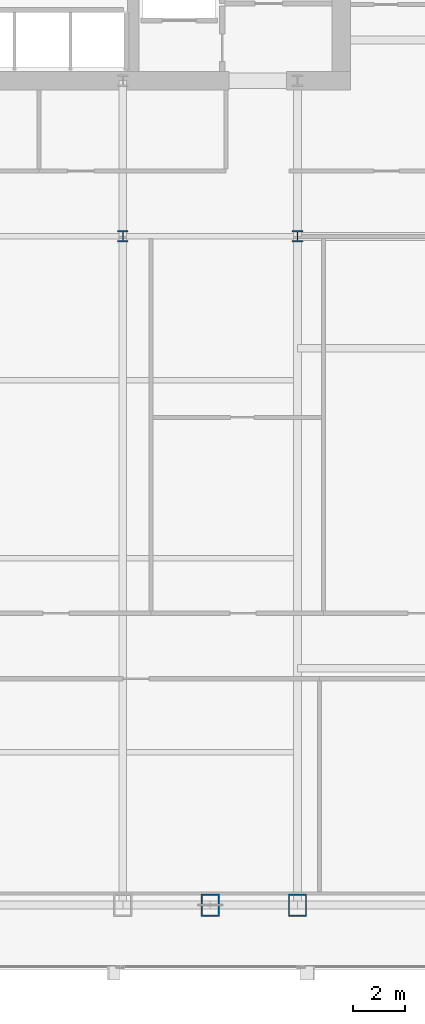
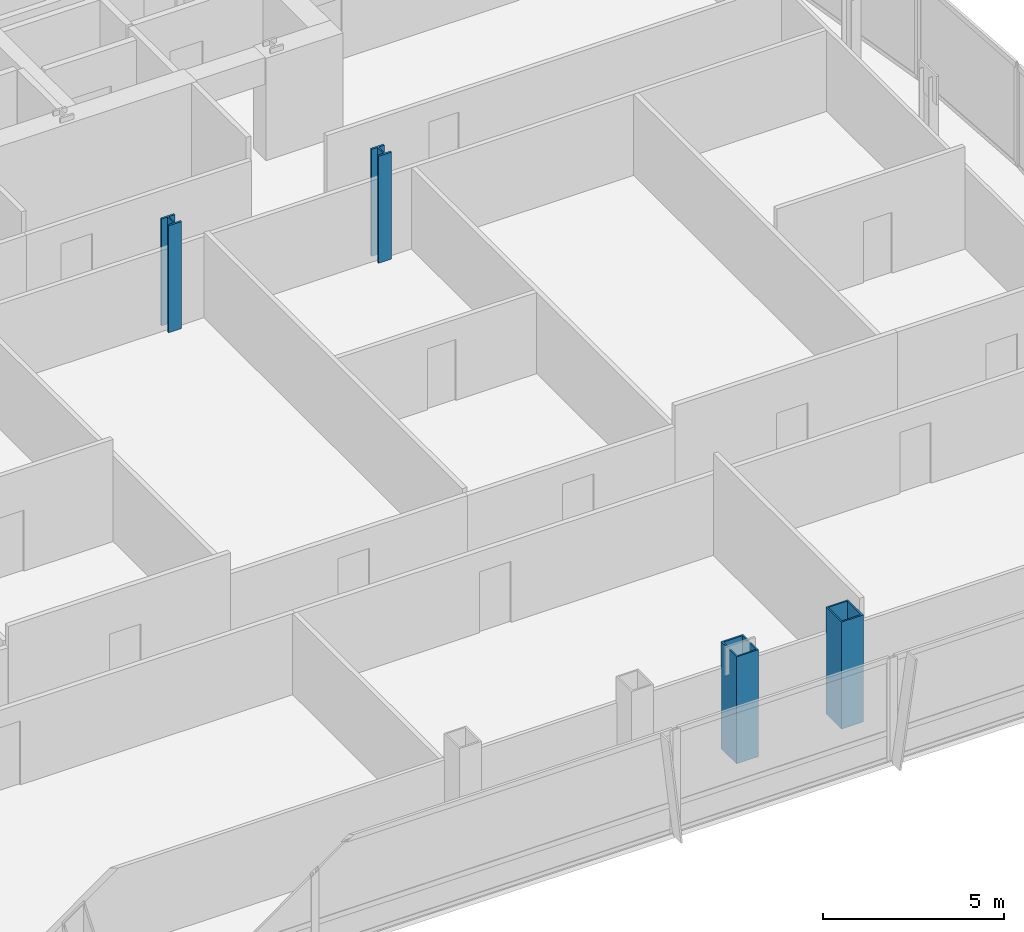
# One storey, part 2 of 33: 4 columns.
"""IFC4 building model written with IfcOpenShell, lengths in metres."""

from ifc_helpers import new_model, si_unit, direction, frame, origin, origin_2d, place, context, subcontext, project, spatial, hollow_rectangle, i_section, extrude, material, material_profile, profile_set, type_object, element, save


model = new_model("IFC4")

# Units and contexts
model_context = context("Model", 3, precision=1e-05, world=origin(), true_north=direction((0.0, 1.0)))
body_context = subcontext(model_context, "Body", "Model", "MODEL_VIEW")
ifc_project = project(units=[si_unit("LENGTHUNIT", "METRE"), si_unit("AREAUNIT", "SQUARE_METRE"), si_unit("VOLUMEUNIT", "CUBIC_METRE"), si_unit("PLANEANGLEUNIT", "RADIAN"), si_unit("MASSUNIT", "GRAM", prefix="KILO")], contexts=[model_context])

# Site, building, storey
site_placement = place(None, origin())
site = spatial("IfcSite", under=ifc_project, at=site_placement, CompositionType="ELEMENT")
building_placement = place(site_placement, origin())
building = spatial("IfcBuilding", under=site, at=building_placement, Name="Khoronbel Lancet Exchange", CompositionType="ELEMENT")
storey_placement = place(building_placement, frame((0.0, 0.0, 114.60009765625)))
storey = spatial("IfcBuildingStorey", under=building, at=storey_placement, Name="L27", CompositionType="ELEMENT", Elevation=114.60009765625)

# Columns
ifc_material = material(Name="Steel S460", Category="steel")
ifc_material_profile_1 = material_profile(ifc_material, hollow_rectangle(XDim=0.699951171875, YDim=0.85009765625, WallThickness=0.050048828125, at=origin_2d()), Name="BOX 850x700x50")
ifc_profile_set_1 = profile_set([ifc_material_profile_1], Name="Steel S460")
column_type_1 = type_object("IfcColumnType", Name="COL-EC2", PredefinedType="COLUMN", material=ifc_profile_set_1)
for number, where, z_axis, x_axis, name in (
    (1, (51.33740234375, 10.14990234375, 0.0), (0.0, 0.0, 1.0), (1.0, 0.0, 0.0), "Structural column SC-EM L27"),
    (2, (54.675048828125, 10.14990234375, 0.0), (0.0, 0.0, 1.0), (1.0, 0.0, 0.0), "Structural column SC-E2 L27"),
):
    element("IfcColumn", number, at=place(storey_placement, frame(where, z_axis=z_axis, x_axis=x_axis)), inside=storey, type_object=column_type_1, Name=name, PredefinedType="COLUMN", context=body_context, shape_type="SweptSolid", body=[
        extrude(hollow_rectangle(XDim=0.699951171875, YDim=0.85009765625, WallThickness=0.050048828125, at=origin_2d()), origin(), (0.0, 0.0, 1.0), 3.599853515625),
    ])
ifc_material_profile_2 = material_profile(ifc_material, i_section(OverallWidth=0.416015625, OverallDepth=0.446044921875, WebThickness=0.0390625, FlangeThickness=0.062744140625, at=origin_2d()), Name="HD 400x509")
ifc_profile_set_2 = profile_set([ifc_material_profile_2], Name="Steel S460")
column_type_2 = type_object("IfcColumnType", Name="COL-IC2", PredefinedType="COLUMN", material=ifc_profile_set_2)
for number, where, z_axis, x_axis, name in (
    (3, (48.0, 35.699951171875, 0.0), (0.0, 0.0, 1.0), (1.0, 0.0, 0.0), "Spine gravity column TC3 L27"),
    (4, (54.675048828125, 35.699951171875, 0.0), (0.0, 0.0, 1.0), (1.0, 0.0, 0.0), "Spine gravity column TC4 L27"),
):
    element("IfcColumn", number, at=place(storey_placement, frame(where, z_axis=z_axis, x_axis=x_axis)), inside=storey, type_object=column_type_2, Name=name, PredefinedType="COLUMN", context=body_context, shape_type="SweptSolid", body=[
        extrude(i_section(OverallWidth=0.416015625, OverallDepth=0.446044921875, WebThickness=0.0390625, FlangeThickness=0.062744140625, at=origin_2d()), origin(), (0.0, 0.0, 1.0), 3.599853515625),
    ])

save(model, "model.ifc")
